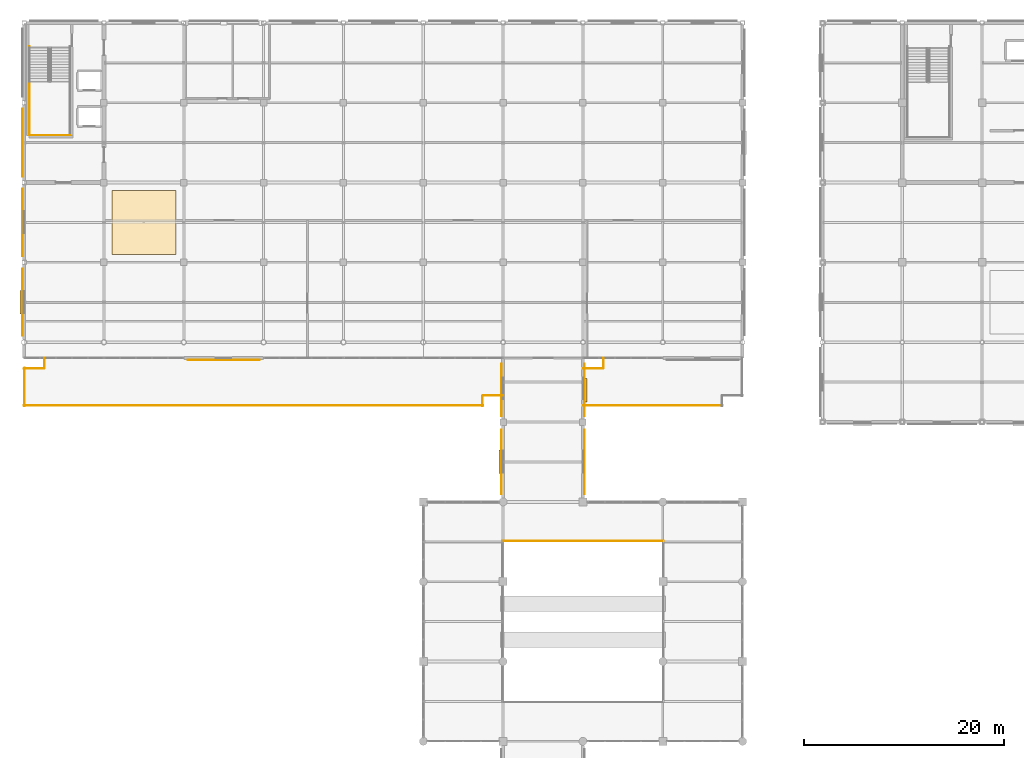
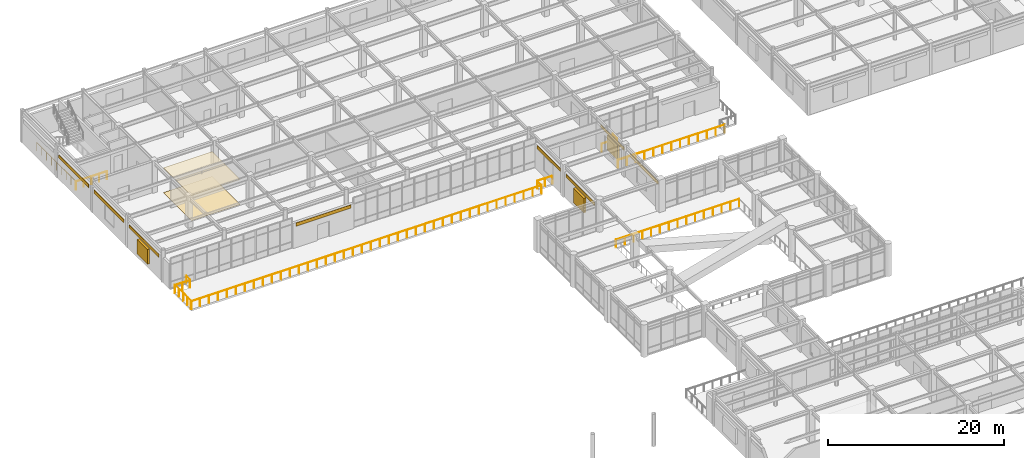
# One storey, part 86 of 93: 12 railings, 10 coverings, 3 shading devices.
"""IFC4 building model written with IfcOpenShell, lengths in metres."""

from ifc_helpers import new_model, si_unit, direction, frame, origin, origin_2d, place, context, subcontext, project, spatial, polyline, rectangle, circle, outline, extrude, material, layer, layer_set, type_object, element, save


model = new_model("IFC4")

# Units and contexts
model_context = context("Model", 3, precision=1e-05, world=origin(), true_north=direction((0.0, 1.0)))
body_context = subcontext(model_context, "Body", "Model", "MODEL_VIEW")
ifc_project = project(units=[si_unit("LENGTHUNIT", "METRE"), si_unit("AREAUNIT", "SQUARE_METRE"), si_unit("VOLUMEUNIT", "CUBIC_METRE"), si_unit("PLANEANGLEUNIT", "RADIAN"), si_unit("MASSUNIT", "GRAM", prefix="KILO")], contexts=[model_context])

# Site, building, storey
site_placement = place(None, origin())
site = spatial("IfcSite", under=ifc_project, at=site_placement, CompositionType="ELEMENT")
building_placement = place(site_placement, origin())
building = spatial("IfcBuilding", under=site, at=building_placement, Name="Solmirada Galleria", CompositionType="ELEMENT")
storey_placement = place(building_placement, frame((0.0, 0.0, 14.89990234375)))
storey = spatial("IfcBuildingStorey", under=building, at=storey_placement, Name="L03", CompositionType="ELEMENT", Elevation=14.89990234375)

# Coverings
ifc_material_1 = material(Name="Perforated acoustic mineral-fibre ceiling")
ifc_layer_1 = layer(ifc_material_1, 0.02490234375)
ifc_layer_set_1 = layer_set([ifc_layer_1], Name="Perforated acoustic mineral-fibre ceiling")
covering_type_1 = type_object("IfcCoveringType", Name="COV-CEIL-ACOUST", PredefinedType="CEILING", material=ifc_layer_set_1)
covering_1_placement = place(storey_placement, frame((0.0, 0.0, 3.4501953125)))
element("IfcCovering", 1, at=covering_1_placement, inside=storey, type_object=covering_type_1, Name="Acoustic ceiling panel L03-1", PredefinedType="CEILING", context=body_context, shape_type="SweptSolid", body=[
    extrude(outline(polyline([(48.800048828125, 96.800048828125), (55.199951171875, 96.800048828125), (55.199951171875, 103.199951171875), (48.800048828125, 103.199951171875), (48.800048828125, 96.800048828125)])), origin(), (0.0, 0.0, 1.0), 0.02490234375),
])
ifc_material_2 = material(Name="Limestone cladding panels", Category="masonry")
ifc_layer_2 = layer(ifc_material_2, 0.044921875)
ifc_layer_set_2 = layer_set([ifc_layer_2], Name="Limestone cladding panels")
covering_type_2 = type_object("IfcCoveringType", Name="COV-CLAD-LIME", PredefinedType="CLADDING", material=ifc_layer_set_2)
covering_2_placement = place(storey_placement, frame((87.822509765625, 76.0, 2.990234375), z_axis=(0.0, 0.0, 1.0), x_axis=(0.0, 1.0, 0.0)))
element("IfcCovering", 2, at=covering_2_placement, inside=storey, type_object=covering_type_2, Name="Postmodern facade cladding L03-182", PredefinedType="CLADDING", context=body_context, shape_type="SweptSolid", body=[
    extrude(rectangle(XDim=6.47509765625, YDim=0.044921875, at=origin_2d()), origin(), (0.0, 0.0, 1.0), 0.4599609375),
])
covering_3_placement = place(storey_placement, frame((39.822509765625, 100.0, 2.990234375), z_axis=(0.0, 0.0, 1.0), x_axis=(0.0, 1.0, 0.0)))
element("IfcCovering", 3, at=covering_3_placement, inside=storey, type_object=covering_type_2, Name="Postmodern facade cladding L03-186", PredefinedType="CLADDING", context=body_context, shape_type="SweptSolid", body=[
    extrude(rectangle(XDim=6.7939453125, YDim=0.044921875, at=origin_2d()), origin(), (0.0, 0.0, 1.0), 0.4599609375),
])
covering_4_placement = place(storey_placement, frame((96.177490234375, 76.0, 2.990234375), z_axis=(0.0, 0.0, 1.0), x_axis=(0.0, -1.0, 0.0)))
element("IfcCovering", 4, at=covering_4_placement, inside=storey, type_object=covering_type_2, Name="Postmodern facade cladding L03-204", PredefinedType="CLADDING", context=body_context, shape_type="SweptSolid", body=[
    extrude(rectangle(XDim=6.47509765625, YDim=0.044921875, at=origin_2d()), origin(), (0.0, 0.0, 1.0), 0.4599609375),
])
ifc_material_3 = material(Name="Glazed terracotta facade panels", Category="masonry")
ifc_layer_3 = layer(ifc_material_3, 0.0400390625)
ifc_layer_set_3 = layer_set([ifc_layer_3], Name="Glazed terracotta facade panels")
covering_type_3 = type_object("IfcCoveringType", Name="COV-CLAD-TERRA", PredefinedType="CLADDING", material=ifc_layer_set_3)
covering_5_placement = place(storey_placement, frame((87.824951171875, 83.199951171875, 2.990234375), z_axis=(0.0, 0.0, 1.0), x_axis=(0.0, 1.0, 0.0)))
element("IfcCovering", 5, at=covering_5_placement, inside=storey, type_object=covering_type_3, Name="Postmodern facade cladding L03-183", PredefinedType="CLADDING", context=body_context, shape_type="SweptSolid", body=[
    extrude(rectangle(XDim=5.27490234375, YDim=0.0400390625, at=origin_2d()), origin(), (0.0, 0.0, 1.0), 0.4599609375),
])
covering_6_placement = place(storey_placement, frame((60.0, 86.22509765625, 2.990234375), z_axis=(0.0, 0.0, 1.0), x_axis=(-1.0, 0.0, 0.0)))
element("IfcCovering", 6, at=covering_6_placement, inside=storey, type_object=covering_type_3, Name="Postmodern facade cladding L03-184", PredefinedType="CLADDING", context=body_context, shape_type="SweptSolid", body=[
    extrude(rectangle(XDim=7.199951171875, YDim=0.0400390625, at=origin_2d()), origin(), (0.0, 0.0, 1.0), 0.4599609375),
])
covering_7_placement = place(storey_placement, frame((39.824951171875, 92.0, 2.990234375), z_axis=(0.0, 0.0, 1.0), x_axis=(0.0, 1.0, 0.0)))
element("IfcCovering", 7, at=covering_7_placement, inside=storey, type_object=covering_type_3, Name="Postmodern facade cladding L03-185", PredefinedType="CLADDING", context=body_context, shape_type="SweptSolid", body=[
    extrude(rectangle(XDim=6.742919921875, YDim=0.0400390625, at=origin_2d()), origin(), (0.0, 0.0, 1.0), 0.4599609375),
])
covering_8_placement = place(storey_placement, frame((39.824951171875, 108.0, 2.990234375), z_axis=(0.0, 0.0, 1.0), x_axis=(0.0, 1.0, 0.0)))
element("IfcCovering", 8, at=covering_8_placement, inside=storey, type_object=covering_type_3, Name="Postmodern facade cladding L03-187", PredefinedType="CLADDING", context=body_context, shape_type="SweptSolid", body=[
    extrude(rectangle(XDim=6.7939453125, YDim=0.0400390625, at=origin_2d()), origin(), (0.0, 0.0, 1.0), 0.4599609375),
])
covering_9_placement = place(storey_placement, frame((96.175048828125, 83.199951171875, 2.990234375), z_axis=(0.0, 0.0, 1.0), x_axis=(0.0, -1.0, 0.0)))
element("IfcCovering", 9, at=covering_9_placement, inside=storey, type_object=covering_type_3, Name="Postmodern facade cladding L03-203", PredefinedType="CLADDING", context=body_context, shape_type="SweptSolid", body=[
    extrude(rectangle(XDim=5.27490234375, YDim=0.0400390625, at=origin_2d()), origin(), (0.0, 0.0, 1.0), 0.4599609375),
])
ifc_material_4 = material(Name="Polished terrazzo and porcelain tile flooring")
ifc_layer_4 = layer(ifc_material_4, 0.030029296875)
ifc_layer_set_4 = layer_set([ifc_layer_4], Name="Polished terrazzo and porcelain tile flooring")
covering_type_4 = type_object("IfcCoveringType", Name="COV-FLOOR-TERRAZ", PredefinedType="FLOORING", material=ifc_layer_set_4)
covering_10_placement = place(storey_placement, origin())
element("IfcCovering", 10, at=covering_10_placement, inside=storey, type_object=covering_type_4, Name="Terrazzo floor finish L03-1", PredefinedType="FLOORING", context=body_context, shape_type="SweptSolid", body=[
    extrude(outline(polyline([(48.800048828125, 96.800048828125), (55.199951171875, 96.800048828125), (55.199951171875, 103.199951171875), (48.800048828125, 103.199951171875), (48.800048828125, 96.800048828125)])), origin(), (0.0, 0.0, 1.0), 0.030029296875),
])

# Railings
ifc_material_5 = material(Name="Tempered laminated glass and stainless-steel balustrade", Category="steel")
railing_type_1 = type_object("IfcRailingType", Name="RAIL-ATRIUM-BAL", PredefinedType="BALUSTRADE", material=ifc_material_5)
railing_1_placement = place(storey_placement, frame((87.919921875, 68.080078125, 0.0)))
element("IfcRailing", 11, at=railing_1_placement, inside=storey, type_object=railing_type_1, Name="Void balustrade ATRIUM L03-N", PredefinedType="BALUSTRADE", context=body_context, shape_type="SweptSolid", body=[
    extrude(circle(Radius=0.02392578125, at=origin_2d()), frame((0.0, 0.0, 1.09619140625), z_axis=(1.0, 0.0, 0.0), x_axis=(0.0, 1.0, 0.0)), (0.0, 0.0, 1.0), 16.16015625),
    extrude(circle(Radius=0.02099609375, at=origin_2d()), origin(), (0.0, 0.0, 1.0), 1.068115234375),
    extrude(circle(Radius=0.02099609375, at=origin_2d()), frame((1.154296875, 0.0, 0.0)), (0.0, 0.0, 1.0), 1.068115234375),
    extrude(circle(Radius=0.02099609375, at=origin_2d()), frame((2.30859375, 0.0, 0.0)), (0.0, 0.0, 1.0), 1.068115234375),
    extrude(circle(Radius=0.02099609375, at=origin_2d()), frame((3.462890625, 0.0, 0.0)), (0.0, 0.0, 1.0), 1.068115234375),
    extrude(circle(Radius=0.02099609375, at=origin_2d()), frame((4.6171875, 0.0, 0.0)), (0.0, 0.0, 1.0), 1.068115234375),
    extrude(circle(Radius=0.02099609375, at=origin_2d()), frame((5.771484375, 0.0, 0.0)), (0.0, 0.0, 1.0), 1.068115234375),
    extrude(circle(Radius=0.02099609375, at=origin_2d()), frame((6.92578125, 0.0, 0.0)), (0.0, 0.0, 1.0), 1.068115234375),
    extrude(circle(Radius=0.02099609375, at=origin_2d()), frame((8.080078125, 0.0, 0.0)), (0.0, 0.0, 1.0), 1.068115234375),
    extrude(circle(Radius=0.02099609375, at=origin_2d()), frame((9.234375, 0.0, 0.0)), (0.0, 0.0, 1.0), 1.068115234375),
    extrude(circle(Radius=0.02099609375, at=origin_2d()), frame((10.388671875, 0.0, 0.0)), (0.0, 0.0, 1.0), 1.068115234375),
    extrude(circle(Radius=0.02099609375, at=origin_2d()), frame((11.54296875, 0.0, 0.0)), (0.0, 0.0, 1.0), 1.068115234375),
    extrude(circle(Radius=0.02099609375, at=origin_2d()), frame((12.697265625, 0.0, 0.0)), (0.0, 0.0, 1.0), 1.068115234375),
    extrude(circle(Radius=0.02099609375, at=origin_2d()), frame((13.8515625, 0.0, 0.0)), (0.0, 0.0, 1.0), 1.068115234375),
    extrude(circle(Radius=0.02099609375, at=origin_2d()), frame((15.005859375, 0.0, 0.0)), (0.0, 0.0, 1.0), 1.068115234375),
    extrude(circle(Radius=0.02099609375, at=origin_2d()), frame((16.16015625, 0.0, 0.0)), (0.0, 0.0, 1.0), 1.068115234375),
])
ifc_material_6 = material(Name="Painted steel tubular railing", Category="steel")
railing_type_2 = type_object("IfcRailingType", Name="RAIL-STAIR-GUARD", PredefinedType="GUARDRAIL", material=ifc_material_6)
railing_2_placement = place(storey_placement, frame((44.610107421875, 108.739990234375, 0.0)))
element("IfcRailing", 12, at=railing_2_placement, inside=storey, type_object=railing_type_2, Name="Stair ST1 well edge guard L03-2", PredefinedType="GUARDRAIL", context=body_context, shape_type="SweptSolid", body=[
    extrude(circle(Radius=0.02392578125, at=origin_2d()), frame((0.0, 0.0, 1.09619140625), z_axis=(-1.0, 0.0, 0.0), x_axis=(0.0, -1.0, 0.0)), (0.0, 0.0, 1.0), 4.070068359375),
    extrude(circle(Radius=0.02099609375, at=origin_2d()), origin(), (0.0, 0.0, 1.0), 1.068115234375),
    extrude(circle(Radius=0.02099609375, at=origin_2d()), frame((-1.017578125, 0.0, 0.0)), (0.0, 0.0, 1.0), 1.068115234375),
    extrude(circle(Radius=0.02099609375, at=origin_2d()), frame((-2.03515625, 0.0, 0.0)), (0.0, 0.0, 1.0), 1.068115234375),
    extrude(circle(Radius=0.02099609375, at=origin_2d()), frame((-3.052490234375, 0.0, 0.0)), (0.0, 0.0, 1.0), 1.068115234375),
    extrude(circle(Radius=0.02099609375, at=origin_2d()), frame((-4.070068359375, 0.0, 0.0)), (0.0, 0.0, 1.0), 1.068115234375),
])
railing_3_placement = place(storey_placement, frame((40.5400390625, 108.739990234375, 0.0)))
element("IfcRailing", 13, at=railing_3_placement, inside=storey, type_object=railing_type_2, Name="Stair ST1 well edge guard L03-3", PredefinedType="GUARDRAIL", context=body_context, shape_type="SweptSolid", body=[
    extrude(circle(Radius=0.02392578125, at=origin_2d()), frame((0.0, 0.0, 1.09619140625), z_axis=(0.0, 1.0, 0.0), x_axis=(-1.0, 0.0, 0.0)), (0.0, 0.0, 1.0), 8.909912109375),
    extrude(circle(Radius=0.02099609375, at=origin_2d()), origin(), (0.0, 0.0, 1.0), 1.068115234375),
    extrude(circle(Radius=0.02099609375, at=origin_2d()), frame((0.0, 1.11376953125, 0.0)), (0.0, 0.0, 1.0), 1.068115234375),
    extrude(circle(Radius=0.02099609375, at=origin_2d()), frame((0.0, 2.2275390625, 0.0)), (0.0, 0.0, 1.0), 1.068115234375),
    extrude(circle(Radius=0.02099609375, at=origin_2d()), frame((0.0, 3.34130859375, 0.0)), (0.0, 0.0, 1.0), 1.068115234375),
    extrude(circle(Radius=0.02099609375, at=origin_2d()), frame((0.0, 4.455078125, 0.0)), (0.0, 0.0, 1.0), 1.068115234375),
    extrude(circle(Radius=0.02099609375, at=origin_2d()), frame((0.0, 5.568603515625, 0.0)), (0.0, 0.0, 1.0), 1.068115234375),
    extrude(circle(Radius=0.02099609375, at=origin_2d()), frame((0.0, 6.682373046875, 0.0)), (0.0, 0.0, 1.0), 1.068115234375),
    extrude(circle(Radius=0.02099609375, at=origin_2d()), frame((0.0, 7.796142578125, 0.0)), (0.0, 0.0, 1.0), 1.068115234375),
    extrude(circle(Radius=0.02099609375, at=origin_2d()), frame((0.0, 8.909912109375, 0.0)), (0.0, 0.0, 1.0), 1.068115234375),
])
ifc_material_7 = material(Name="Painted galvanized steel balustrade", Category="steel")
railing_type_3 = type_object("IfcRailingType", Name="RAIL-TERR-1100", PredefinedType="GUARDRAIL", material=ifc_material_7)
railing_4_placement = place(storey_placement, frame((40.0, 81.64990234375, 0.0)))
element("IfcRailing", 14, at=railing_4_placement, inside=storey, type_object=railing_type_3, Name="Terrace guardrail L03-TERR-NW E1.1", PredefinedType="GUARDRAIL", context=body_context, shape_type="SweptSolid", body=[
    extrude(circle(Radius=0.02392578125, at=origin_2d()), frame((0.0, 0.0, 1.09619140625), z_axis=(1.0, 0.0, 0.0), x_axis=(0.0, 1.0, 0.0)), (0.0, 0.0, 1.0), 46.0),
    extrude(circle(Radius=0.02099609375, at=origin_2d()), origin(), (0.0, 0.0, 1.0), 1.068115234375),
    extrude(circle(Radius=0.02099609375, at=origin_2d()), frame((1.179443359375, 0.0, 0.0)), (0.0, 0.0, 1.0), 1.068115234375),
    extrude(circle(Radius=0.02099609375, at=origin_2d()), frame((2.35888671875, 0.0, 0.0)), (0.0, 0.0, 1.0), 1.068115234375),
    extrude(circle(Radius=0.02099609375, at=origin_2d()), frame((3.53857421875, 0.0, 0.0)), (0.0, 0.0, 1.0), 1.068115234375),
    extrude(circle(Radius=0.02099609375, at=origin_2d()), frame((4.718017578125, 0.0, 0.0)), (0.0, 0.0, 1.0), 1.068115234375),
    extrude(circle(Radius=0.02099609375, at=origin_2d()), frame((5.8974609375, 0.0, 0.0)), (0.0, 0.0, 1.0), 1.068115234375),
    extrude(circle(Radius=0.02099609375, at=origin_2d()), frame((7.076904296875, 0.0, 0.0)), (0.0, 0.0, 1.0), 1.068115234375),
    extrude(circle(Radius=0.02099609375, at=origin_2d()), frame((8.25634765625, 0.0, 0.0)), (0.0, 0.0, 1.0), 1.068115234375),
    extrude(circle(Radius=0.02099609375, at=origin_2d()), frame((9.435791015625, 0.0, 0.0)), (0.0, 0.0, 1.0), 1.068115234375),
    extrude(circle(Radius=0.02099609375, at=origin_2d()), frame((10.615478515625, 0.0, 0.0)), (0.0, 0.0, 1.0), 1.068115234375),
    extrude(circle(Radius=0.02099609375, at=origin_2d()), frame((11.794921875, 0.0, 0.0)), (0.0, 0.0, 1.0), 1.068115234375),
    extrude(circle(Radius=0.02099609375, at=origin_2d()), frame((12.974365234375, 0.0, 0.0)), (0.0, 0.0, 1.0), 1.068115234375),
    extrude(circle(Radius=0.02099609375, at=origin_2d()), frame((14.15380859375, 0.0, 0.0)), (0.0, 0.0, 1.0), 1.068115234375),
    extrude(circle(Radius=0.02099609375, at=origin_2d()), frame((15.333251953125, 0.0, 0.0)), (0.0, 0.0, 1.0), 1.068115234375),
    extrude(circle(Radius=0.02099609375, at=origin_2d()), frame((16.512939453125, 0.0, 0.0)), (0.0, 0.0, 1.0), 1.068115234375),
    extrude(circle(Radius=0.02099609375, at=origin_2d()), frame((17.6923828125, 0.0, 0.0)), (0.0, 0.0, 1.0), 1.068115234375),
    extrude(circle(Radius=0.02099609375, at=origin_2d()), frame((18.871826171875, 0.0, 0.0)), (0.0, 0.0, 1.0), 1.068115234375),
    extrude(circle(Radius=0.02099609375, at=origin_2d()), frame((20.05126953125, 0.0, 0.0)), (0.0, 0.0, 1.0), 1.068115234375),
    extrude(circle(Radius=0.02099609375, at=origin_2d()), frame((21.230712890625, 0.0, 0.0)), (0.0, 0.0, 1.0), 1.068115234375),
    extrude(circle(Radius=0.02099609375, at=origin_2d()), frame((22.41015625, 0.0, 0.0)), (0.0, 0.0, 1.0), 1.068115234375),
    extrude(circle(Radius=0.02099609375, at=origin_2d()), frame((23.58984375, 0.0, 0.0)), (0.0, 0.0, 1.0), 1.068115234375),
    extrude(circle(Radius=0.02099609375, at=origin_2d()), frame((24.769287109375, 0.0, 0.0)), (0.0, 0.0, 1.0), 1.068115234375),
    extrude(circle(Radius=0.02099609375, at=origin_2d()), frame((25.94873046875, 0.0, 0.0)), (0.0, 0.0, 1.0), 1.068115234375),
    extrude(circle(Radius=0.02099609375, at=origin_2d()), frame((27.128173828125, 0.0, 0.0)), (0.0, 0.0, 1.0), 1.068115234375),
    extrude(circle(Radius=0.02099609375, at=origin_2d()), frame((28.3076171875, 0.0, 0.0)), (0.0, 0.0, 1.0), 1.068115234375),
    extrude(circle(Radius=0.02099609375, at=origin_2d()), frame((29.487060546875, 0.0, 0.0)), (0.0, 0.0, 1.0), 1.068115234375),
    extrude(circle(Radius=0.02099609375, at=origin_2d()), frame((30.666748046875, 0.0, 0.0)), (0.0, 0.0, 1.0), 1.068115234375),
    extrude(circle(Radius=0.02099609375, at=origin_2d()), frame((31.84619140625, 0.0, 0.0)), (0.0, 0.0, 1.0), 1.068115234375),
    extrude(circle(Radius=0.02099609375, at=origin_2d()), frame((33.025634765625, 0.0, 0.0)), (0.0, 0.0, 1.0), 1.068115234375),
    extrude(circle(Radius=0.02099609375, at=origin_2d()), frame((34.205078125, 0.0, 0.0)), (0.0, 0.0, 1.0), 1.068115234375),
    extrude(circle(Radius=0.02099609375, at=origin_2d()), frame((35.384521484375, 0.0, 0.0)), (0.0, 0.0, 1.0), 1.068115234375),
    extrude(circle(Radius=0.02099609375, at=origin_2d()), frame((36.564208984375, 0.0, 0.0)), (0.0, 0.0, 1.0), 1.068115234375),
    extrude(circle(Radius=0.02099609375, at=origin_2d()), frame((37.74365234375, 0.0, 0.0)), (0.0, 0.0, 1.0), 1.068115234375),
    extrude(circle(Radius=0.02099609375, at=origin_2d()), frame((38.923095703125, 0.0, 0.0)), (0.0, 0.0, 1.0), 1.068115234375),
    extrude(circle(Radius=0.02099609375, at=origin_2d()), frame((40.1025390625, 0.0, 0.0)), (0.0, 0.0, 1.0), 1.068115234375),
    extrude(circle(Radius=0.02099609375, at=origin_2d()), frame((41.281982421875, 0.0, 0.0)), (0.0, 0.0, 1.0), 1.068115234375),
    extrude(circle(Radius=0.02099609375, at=origin_2d()), frame((42.46142578125, 0.0, 0.0)), (0.0, 0.0, 1.0), 1.068115234375),
    extrude(circle(Radius=0.02099609375, at=origin_2d()), frame((43.64111328125, 0.0, 0.0)), (0.0, 0.0, 1.0), 1.068115234375),
    extrude(circle(Radius=0.02099609375, at=origin_2d()), frame((44.820556640625, 0.0, 0.0)), (0.0, 0.0, 1.0), 1.068115234375),
    extrude(circle(Radius=0.02099609375, at=origin_2d()), frame((46.0, 0.0, 0.0)), (0.0, 0.0, 1.0), 1.068115234375),
])
railing_5_placement = place(storey_placement, frame((85.949951171875, 81.60009765625, 0.0)))
element("IfcRailing", 15, at=railing_5_placement, inside=storey, type_object=railing_type_3, Name="Terrace guardrail L03-TERR-NW E2.1", PredefinedType="GUARDRAIL", context=body_context, shape_type="SweptSolid", body=[
    extrude(circle(Radius=0.02392578125, at=origin_2d()), frame((0.0, 0.0, 1.09619140625), z_axis=(0.0, 1.0, 0.0), x_axis=(-1.0, 0.0, 0.0)), (0.0, 0.0, 1.0), 1.0),
    extrude(circle(Radius=0.02099609375, at=origin_2d()), origin(), (0.0, 0.0, 1.0), 1.068115234375),
    extrude(circle(Radius=0.02099609375, at=origin_2d()), frame((0.0, 1.0, 0.0)), (0.0, 0.0, 1.0), 1.068115234375),
])
railing_6_placement = place(storey_placement, frame((86.0, 82.64990234375, 0.0)))
element("IfcRailing", 16, at=railing_6_placement, inside=storey, type_object=railing_type_3, Name="Terrace guardrail L03-TERR-NW E3.1", PredefinedType="GUARDRAIL", context=body_context, shape_type="SweptSolid", body=[
    extrude(circle(Radius=0.02392578125, at=origin_2d()), frame((0.0, 0.0, 1.09619140625), z_axis=(1.0, 0.0, 0.0), x_axis=(0.0, 1.0, 0.0)), (0.0, 0.0, 1.0), 2.0),
    extrude(circle(Radius=0.02099609375, at=origin_2d()), origin(), (0.0, 0.0, 1.0), 1.068115234375),
    extrude(circle(Radius=0.02099609375, at=origin_2d()), frame((1.0, 0.0, 0.0)), (0.0, 0.0, 1.0), 1.068115234375),
    extrude(circle(Radius=0.02099609375, at=origin_2d()), frame((2.0, 0.0, 0.0)), (0.0, 0.0, 1.0), 1.068115234375),
])
railing_7_placement = place(storey_placement, frame((42.050048828125, 86.39990234375, 0.0)))
element("IfcRailing", 17, at=railing_7_placement, inside=storey, type_object=railing_type_3, Name="Terrace guardrail L03-TERR-NW E6.1", PredefinedType="GUARDRAIL", context=body_context, shape_type="SweptSolid", body=[
    extrude(circle(Radius=0.02392578125, at=origin_2d()), frame((0.0, 0.0, 1.09619140625), z_axis=(0.0, -1.0, 0.0), x_axis=(1.0, 0.0, 0.0)), (0.0, 0.0, 1.0), 1.0),
    extrude(circle(Radius=0.02099609375, at=origin_2d()), origin(), (0.0, 0.0, 1.0), 1.068115234375),
    extrude(circle(Radius=0.02099609375, at=origin_2d()), frame((0.0, -1.0, 0.0)), (0.0, 0.0, 1.0), 1.068115234375),
])
railing_8_placement = place(storey_placement, frame((42.0, 85.35009765625, 0.0)))
element("IfcRailing", 18, at=railing_8_placement, inside=storey, type_object=railing_type_3, Name="Terrace guardrail L03-TERR-NW E7.1", PredefinedType="GUARDRAIL", context=body_context, shape_type="SweptSolid", body=[
    extrude(circle(Radius=0.02392578125, at=origin_2d()), frame((0.0, 0.0, 1.09619140625), z_axis=(-1.0, 0.0, 0.0), x_axis=(0.0, -1.0, 0.0)), (0.0, 0.0, 1.0), 2.0),
    extrude(circle(Radius=0.02099609375, at=origin_2d()), origin(), (0.0, 0.0, 1.0), 1.068115234375),
    extrude(circle(Radius=0.02099609375, at=origin_2d()), frame((-1.0, 0.0, 0.0)), (0.0, 0.0, 1.0), 1.068115234375),
    extrude(circle(Radius=0.02099609375, at=origin_2d()), frame((-2.0, 0.0, 0.0)), (0.0, 0.0, 1.0), 1.068115234375),
])
railing_9_placement = place(storey_placement, frame((40.050048828125, 85.39990234375, 0.0)))
element("IfcRailing", 19, at=railing_9_placement, inside=storey, type_object=railing_type_3, Name="Terrace guardrail L03-TERR-NW E8.1", PredefinedType="GUARDRAIL", context=body_context, shape_type="SweptSolid", body=[
    extrude(circle(Radius=0.02392578125, at=origin_2d()), frame((0.0, 0.0, 1.09619140625), z_axis=(0.0, -1.0, 0.0), x_axis=(1.0, 0.0, 0.0)), (0.0, 0.0, 1.0), 3.7998046875),
    extrude(circle(Radius=0.02099609375, at=origin_2d()), origin(), (0.0, 0.0, 1.0), 1.068115234375),
    extrude(circle(Radius=0.02099609375, at=origin_2d()), frame((0.0, -0.949951171875, 0.0)), (0.0, 0.0, 1.0), 1.068115234375),
    extrude(circle(Radius=0.02099609375, at=origin_2d()), frame((0.0, -1.89990234375, 0.0)), (0.0, 0.0, 1.0), 1.068115234375),
    extrude(circle(Radius=0.02099609375, at=origin_2d()), frame((0.0, -2.849853515625, 0.0)), (0.0, 0.0, 1.0), 1.068115234375),
    extrude(circle(Radius=0.02099609375, at=origin_2d()), frame((0.0, -3.7998046875, 0.0)), (0.0, 0.0, 1.0), 1.068115234375),
])
railing_10_placement = place(storey_placement, frame((96.0, 81.64990234375, 0.0)))
element("IfcRailing", 20, at=railing_10_placement, inside=storey, type_object=railing_type_3, Name="Terrace guardrail L03-TERR-NE E1.1", PredefinedType="GUARDRAIL", context=body_context, shape_type="SweptSolid", body=[
    extrude(circle(Radius=0.02392578125, at=origin_2d()), frame((0.0, 0.0, 1.09619140625), z_axis=(1.0, 0.0, 0.0), x_axis=(0.0, 1.0, 0.0)), (0.0, 0.0, 1.0), 14.0),
    extrude(circle(Radius=0.02099609375, at=origin_2d()), origin(), (0.0, 0.0, 1.0), 1.068115234375),
    extrude(circle(Radius=0.02099609375, at=origin_2d()), frame((1.166748046875, 0.0, 0.0)), (0.0, 0.0, 1.0), 1.068115234375),
    extrude(circle(Radius=0.02099609375, at=origin_2d()), frame((2.333251953125, 0.0, 0.0)), (0.0, 0.0, 1.0), 1.068115234375),
    extrude(circle(Radius=0.02099609375, at=origin_2d()), frame((3.5, 0.0, 0.0)), (0.0, 0.0, 1.0), 1.068115234375),
    extrude(circle(Radius=0.02099609375, at=origin_2d()), frame((4.666748046875, 0.0, 0.0)), (0.0, 0.0, 1.0), 1.068115234375),
    extrude(circle(Radius=0.02099609375, at=origin_2d()), frame((5.833251953125, 0.0, 0.0)), (0.0, 0.0, 1.0), 1.068115234375),
    extrude(circle(Radius=0.02099609375, at=origin_2d()), frame((7.0, 0.0, 0.0)), (0.0, 0.0, 1.0), 1.068115234375),
    extrude(circle(Radius=0.02099609375, at=origin_2d()), frame((8.166748046875, 0.0, 0.0)), (0.0, 0.0, 1.0), 1.068115234375),
    extrude(circle(Radius=0.02099609375, at=origin_2d()), frame((9.333251953125, 0.0, 0.0)), (0.0, 0.0, 1.0), 1.068115234375),
    extrude(circle(Radius=0.02099609375, at=origin_2d()), frame((10.5, 0.0, 0.0)), (0.0, 0.0, 1.0), 1.068115234375),
    extrude(circle(Radius=0.02099609375, at=origin_2d()), frame((11.666748046875, 0.0, 0.0)), (0.0, 0.0, 1.0), 1.068115234375),
    extrude(circle(Radius=0.02099609375, at=origin_2d()), frame((12.833251953125, 0.0, 0.0)), (0.0, 0.0, 1.0), 1.068115234375),
    extrude(circle(Radius=0.02099609375, at=origin_2d()), frame((14.0, 0.0, 0.0)), (0.0, 0.0, 1.0), 1.068115234375),
])
railing_11_placement = place(storey_placement, frame((98.050048828125, 86.39990234375, 0.0)))
element("IfcRailing", 21, at=railing_11_placement, inside=storey, type_object=railing_type_3, Name="Terrace guardrail L03-TERR-NE E6.1", PredefinedType="GUARDRAIL", context=body_context, shape_type="SweptSolid", body=[
    extrude(circle(Radius=0.02392578125, at=origin_2d()), frame((0.0, 0.0, 1.09619140625), z_axis=(0.0, -1.0, 0.0), x_axis=(1.0, 0.0, 0.0)), (0.0, 0.0, 1.0), 1.0),
    extrude(circle(Radius=0.02099609375, at=origin_2d()), origin(), (0.0, 0.0, 1.0), 1.068115234375),
    extrude(circle(Radius=0.02099609375, at=origin_2d()), frame((0.0, -1.0, 0.0)), (0.0, 0.0, 1.0), 1.068115234375),
])
railing_12_placement = place(storey_placement, frame((98.0, 85.35009765625, 0.0)))
element("IfcRailing", 22, at=railing_12_placement, inside=storey, type_object=railing_type_3, Name="Terrace guardrail L03-TERR-NE E7.1", PredefinedType="GUARDRAIL", context=body_context, shape_type="SweptSolid", body=[
    extrude(circle(Radius=0.02392578125, at=origin_2d()), frame((0.0, 0.0, 1.09619140625), z_axis=(-1.0, 0.0, 0.0), x_axis=(0.0, -1.0, 0.0)), (0.0, 0.0, 1.0), 2.0),
    extrude(circle(Radius=0.02099609375, at=origin_2d()), origin(), (0.0, 0.0, 1.0), 1.068115234375),
    extrude(circle(Radius=0.02099609375, at=origin_2d()), frame((-1.0, 0.0, 0.0)), (0.0, 0.0, 1.0), 1.068115234375),
    extrude(circle(Radius=0.02099609375, at=origin_2d()), frame((-2.0, 0.0, 0.0)), (0.0, 0.0, 1.0), 1.068115234375),
])

# Shading devices
ifc_material_8 = material(Name="Extruded aluminium storm louvres", Category="aluminium")
shading_device_type = type_object("IfcShadingDeviceType", Name="SHD-JALOUSIE", PredefinedType="JALOUSIE", material=ifc_material_8)
for number, where, z_axis, x_axis, name in (
    (23, (87.715087890625, 76.0, 0.80029296875), (0.0, 0.0, 1.0), (0.0, 1.0, 0.0), "Hurricane storm jalousie louvre 064"),
    (24, (39.715087890625, 92.0, 0.80029296875), (0.0, 0.0, 1.0), (0.0, 1.0, 0.0), "Hurricane storm jalousie louvre 065"),
    (25, (96.284912109375, 83.199951171875, 0.80029296875), (0.0, 0.0, 1.0), (0.0, -1.0, 0.0), "Hurricane storm jalousie louvre 067"),
):
    element("IfcShadingDevice", number, at=place(storey_placement, frame(where, z_axis=z_axis, x_axis=x_axis)), inside=storey, type_object=shading_device_type, Name=name, PredefinedType="JALOUSIE", context=body_context, shape_type="SweptSolid", body=[
        extrude(rectangle(XDim=2.360107421875, YDim=0.260009765625, at=origin_2d()), origin(), (0.0, 0.0, 1.0), 2.050048828125),
    ])

save(model, "model.ifc")
